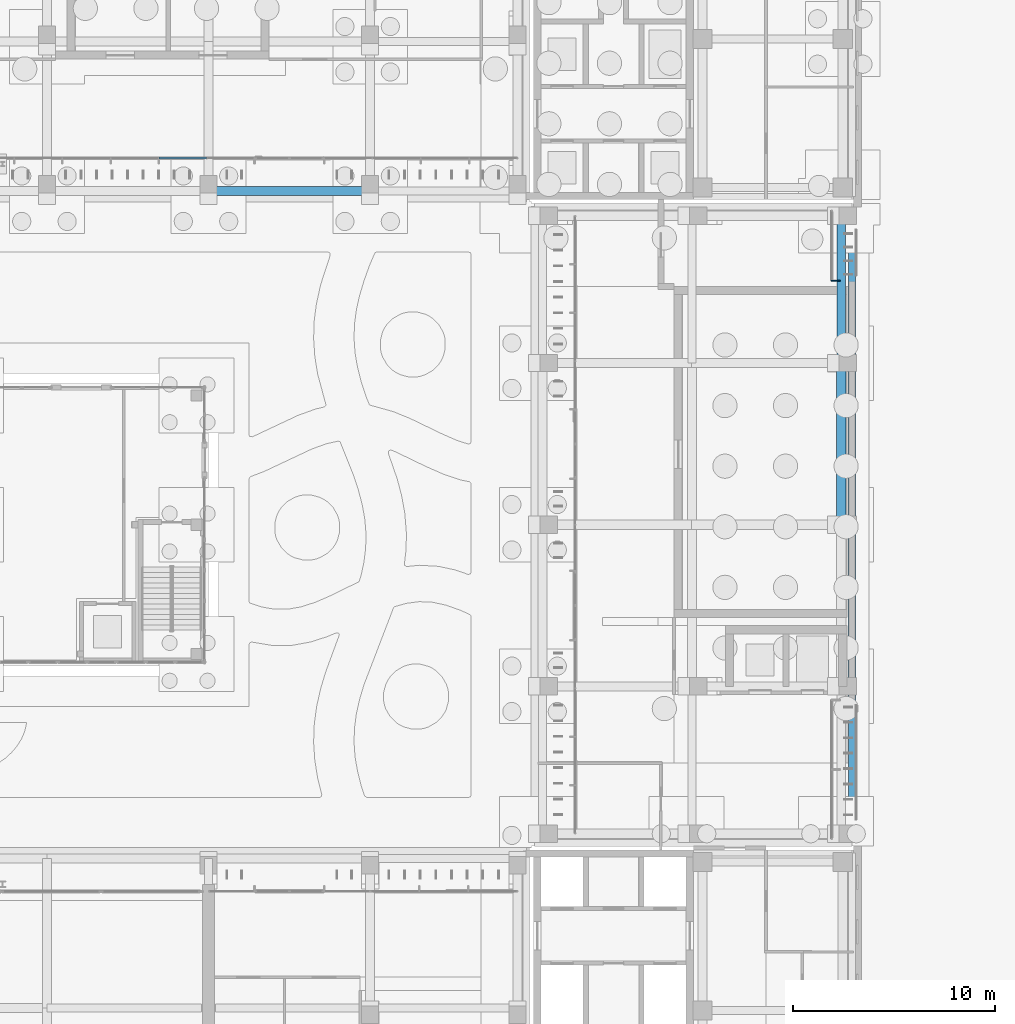
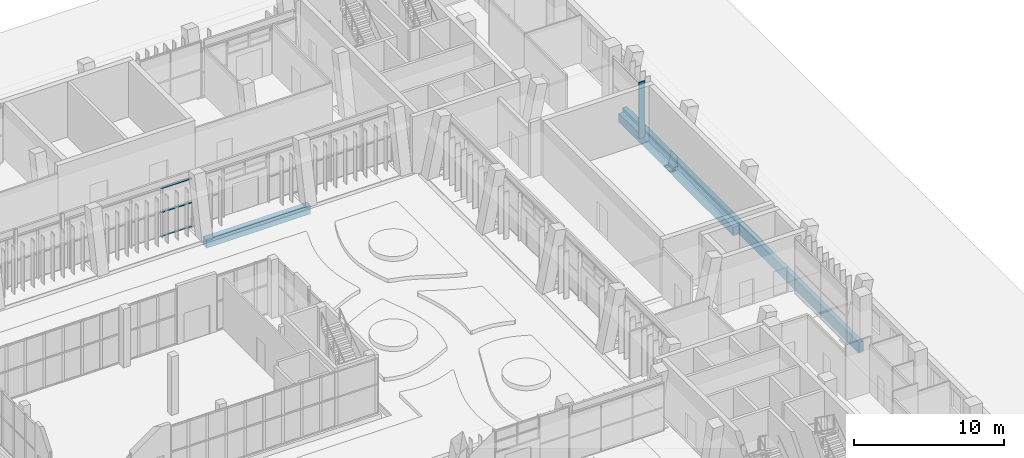
# One storey, part 77 of 144: 4 beams, 4 members, 2 elements without a shape of their own.
"""IFC4 building model written with IfcOpenShell, lengths in metres."""

from ifc_helpers import new_model, si_unit, direction, frame, origin, origin_2d, place, context, subcontext, project, spatial, rectangle, extrude, material, material_profile, profile_set, type_object, element, aggregate, save


model = new_model("IFC4")

# Units and contexts
model_context = context("Model", 3, precision=1e-05, world=origin(), true_north=direction((0.0, 1.0)))
body_context = subcontext(model_context, "Body", "Model", "MODEL_VIEW")
ifc_project = project(units=[si_unit("LENGTHUNIT", "METRE"), si_unit("AREAUNIT", "SQUARE_METRE"), si_unit("VOLUMEUNIT", "CUBIC_METRE"), si_unit("PLANEANGLEUNIT", "RADIAN"), si_unit("MASSUNIT", "GRAM", prefix="KILO")], contexts=[model_context])

# Site, building, storey
site_placement = place(None, origin())
site = spatial("IfcSite", under=ifc_project, at=site_placement, CompositionType="ELEMENT")
building_placement = place(site_placement, origin())
building = spatial("IfcBuilding", under=site, at=building_placement, Name="Lantern Court Media Centre", CompositionType="ELEMENT")
storey_placement = place(building_placement, origin())
storey = spatial("IfcBuildingStorey", under=building, at=storey_placement, Name="L00", CompositionType="ELEMENT", Elevation=0.0)

# Curtain wall, member
ifc_material_1 = material(Name="Curtain wall bay 3000")
curtain_wall_type_1 = type_object("IfcCurtainWallType", Name="Curtain wall bay 3000", PredefinedType="NOTDEFINED", material=ifc_material_1)
curtain_wall_1_placement = place(storey_placement, origin())
curtain_wall_1 = element("IfcCurtainWall", 1, at=curtain_wall_1_placement, inside=storey, type_object=curtain_wall_type_1, Name="Curtain wall E outer L00", PredefinedType="NOTDEFINED")
ifc_material_2 = material(Name="Anodised aluminium", Category="aluminium")
ifc_material_profile_1 = material_profile(ifc_material_2, rectangle(XDim=0.449951171875, YDim=0.06005859375, at=origin_2d()), Name="AL 60x450")
ifc_profile_set_1 = profile_set([ifc_material_profile_1], Name="Anodised aluminium")
member_type_1 = type_object("IfcMemberType", Name="Curtain wall mullion 60x450", PredefinedType="MULLION", material=ifc_profile_set_1)
member_1_placement = place(storey_placement, frame((95.044921875, 92.080078125, 0.0), z_axis=(0.0, 0.0, 1.0), x_axis=(-1.0, 0.0, 0.0)))
member_1 = element("IfcMember", 2, at=member_1_placement, type_object=member_type_1, Name="CW1 mullion 1", PredefinedType="MULLION", context=body_context, shape_type="SweptSolid", body=[
    extrude(rectangle(XDim=0.449951171875, YDim=0.06005859375, at=origin_2d()), origin(), (0.0, 0.0, 1.0), 4.580078125),
])
aggregate(curtain_wall_1, [member_1])

# Curtain wall, members
ifc_material_3 = material(Name="Curtain wall bay 2400")
curtain_wall_type_2 = type_object("IfcCurtainWallType", Name="Curtain wall bay 2400", PredefinedType="NOTDEFINED", material=ifc_material_3)
curtain_wall_2_placement = place(storey_placement, origin())
curtain_wall_2 = element("IfcCurtainWall", 3, at=curtain_wall_2_placement, inside=storey, type_object=curtain_wall_type_2, Name="Curtain wall N inner L00", PredefinedType="NOTDEFINED")
ifc_material_profile_2 = material_profile(ifc_material_2, rectangle(XDim=0.10009765625, YDim=0.050048828125, at=origin_2d()), Name="AL 50x100")
ifc_profile_set_2 = profile_set([ifc_material_profile_2], Name="Anodised aluminium")
member_type_2 = type_object("IfcMemberType", Name="Curtain wall transom 100x50", PredefinedType="USERDEFINED", material=ifc_profile_set_2)
member_2_placement = place(storey_placement, frame((61.558349609375, 98.14990234375, 0.02490234375), z_axis=(1.0, 0.0, 0.0), x_axis=(0.0, 1.0, 0.0)))
member_2 = element("IfcMember", 4, at=member_2_placement, type_object=member_type_2, Name="CW2 transom 11.1", ObjectType="TRANSOM", PredefinedType="USERDEFINED", context=body_context, shape_type="SweptSolid", body=[
    extrude(rectangle(XDim=0.10009765625, YDim=0.050048828125, at=origin_2d()), origin(), (0.0, 0.0, 1.0), 2.333251953125),
])
member_3_placement = place(storey_placement, frame((61.558349609375, 98.14990234375, 1.97509765625), z_axis=(1.0, 0.0, 0.0), x_axis=(0.0, 1.0, 0.0)))
member_3 = element("IfcMember", 5, at=member_3_placement, type_object=member_type_2, Name="CW2 transom 11.2", ObjectType="TRANSOM", PredefinedType="USERDEFINED", context=body_context, shape_type="SweptSolid", body=[
    extrude(rectangle(XDim=0.10009765625, YDim=0.050048828125, at=origin_2d()), origin(), (0.0, 0.0, 1.0), 2.333251953125),
])
member_4_placement = place(storey_placement, frame((61.558349609375, 98.14990234375, 3.925048828125), z_axis=(1.0, 0.0, 0.0), x_axis=(0.0, 1.0, 0.0)))
member_4 = element("IfcMember", 6, at=member_4_placement, type_object=member_type_2, Name="CW2 transom 11.3", ObjectType="TRANSOM", PredefinedType="USERDEFINED", context=body_context, shape_type="SweptSolid", body=[
    extrude(rectangle(XDim=0.10009765625, YDim=0.050048828125, at=origin_2d()), origin(), (0.0, 0.0, 1.0), 2.333251953125),
])
aggregate(curtain_wall_2, [member_2, member_3, member_4])

# Beams
ifc_material_4 = material(Name="Concrete C35", Category="concrete")
ifc_material_profile_3 = material_profile(ifc_material_4, rectangle(XDim=0.35009765625, YDim=0.89990234375, at=origin_2d()), Name="RC 350x900")
ifc_profile_set_3 = profile_set([ifc_material_profile_3], Name="Concrete C35")
beam_type_1 = type_object("IfcBeamType", Name="RC BEAM 350x900", PredefinedType="BEAM", material=ifc_profile_set_3)
beam_1_placement = place(storey_placement, frame((95.85009765625, 64.25, -0.449951171875), z_axis=(0.0, 1.0, 0.0), x_axis=(-1.0, 0.0, 0.0)))
element("IfcBeam", 7, at=beam_1_placement, inside=storey, type_object=beam_type_1, Name="EB-E-L00-B", PredefinedType="BEAM", context=body_context, shape_type="SweptSolid", body=[
    extrude(rectangle(XDim=0.35009765625, YDim=0.89990234375, at=origin_2d()), origin(), (0.0, 0.0, 1.0), 31.5),
])
ifc_material_profile_4 = material_profile(ifc_material_4, rectangle(XDim=0.39990234375, YDim=0.699951171875, at=origin_2d()), Name="RC 400x700")
ifc_profile_set_4 = profile_set([ifc_material_profile_4], Name="Concrete C35")
beam_type_2 = type_object("IfcBeamType", Name="RC BEAM 400x700", PredefinedType="BEAM", material=ifc_profile_set_4)
beam_2_placement = place(storey_placement, frame((95.3271484375, 88.0, -0.35009765625), z_axis=(0.0, 1.0, 0.0), x_axis=(-1.0, 0.0, 0.0)))
element("IfcBeam", 8, at=beam_2_placement, inside=storey, type_object=beam_type_2, Name="LB-E-L00-2-3", PredefinedType="BEAM", context=body_context, shape_type="SweptSolid", body=[
    extrude(rectangle(XDim=0.39990234375, YDim=0.699951171875, at=origin_2d()), origin(), (0.0, 0.0, 1.0), 7.300048828125),
])
ifc_material_profile_5 = material_profile(ifc_material_4, rectangle(XDim=0.449951171875, YDim=0.699951171875, at=origin_2d()), Name="RC 450x700")
ifc_profile_set_5 = profile_set([ifc_material_profile_5], Name="Concrete C35")
beam_type_3 = type_object("IfcBeamType", Name="RC BEAM 450x700", PredefinedType="BEAM", material=ifc_profile_set_5)
for number, where, z_axis, x_axis, name in (
    (9, (64.0, 96.527099609375, -0.35009765625), (1.0, 0.0, 0.0), (0.0, 1.0, 0.0), "LB-N-L00-0-5"),
    (10, (95.3271484375, 80.0, -0.35009765625), (0.0, 1.0, 0.0), (-1.0, 0.0, 0.0), "LB-E-L00-2-2"),
):
    element("IfcBeam", number, at=place(storey_placement, frame(where, z_axis=z_axis, x_axis=x_axis)), inside=storey, type_object=beam_type_3, Name=name, PredefinedType="BEAM", context=body_context, shape_type="SweptSolid", body=[
        extrude(rectangle(XDim=0.449951171875, YDim=0.699951171875, at=origin_2d()), origin(), (0.0, 0.0, 1.0), 8.0),
    ])

save(model, "model.ifc")
